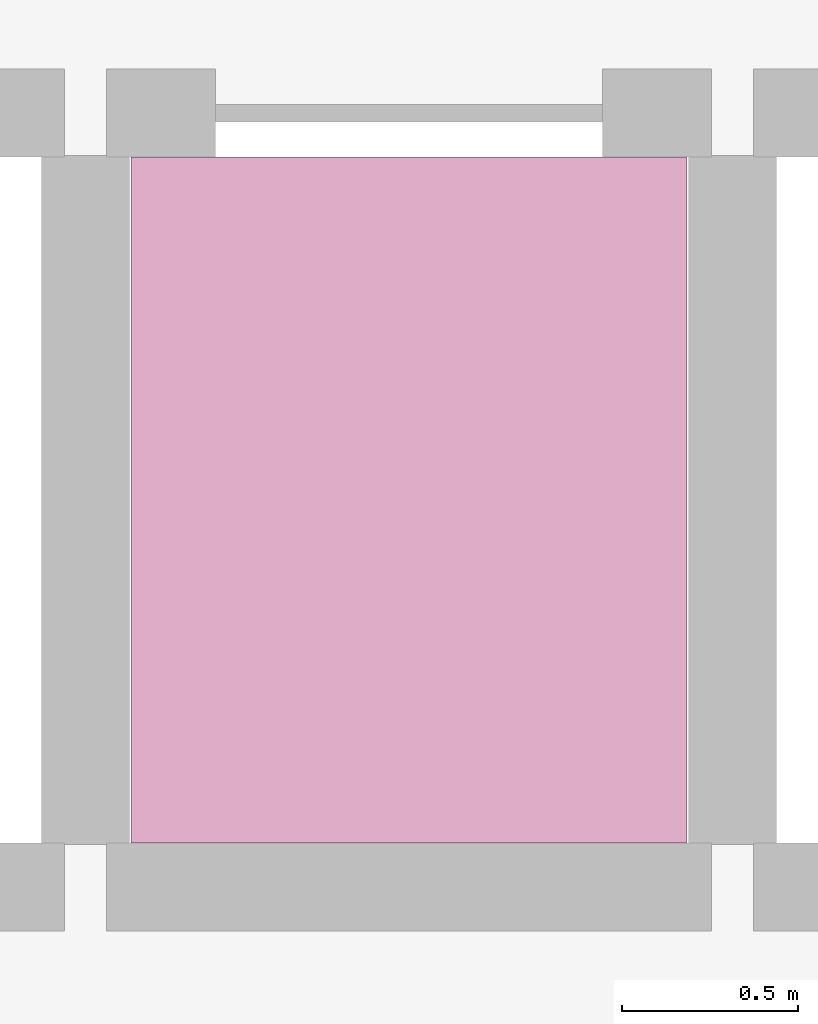
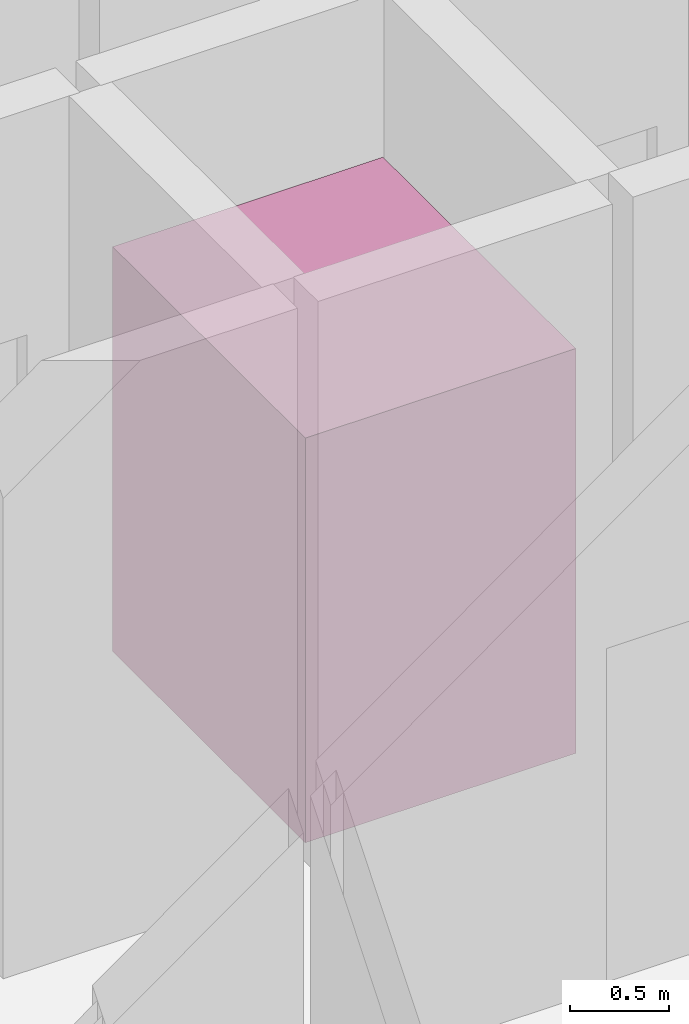
# One storey, part 9 of 9: 1 transport element.
"""IFC4 building model written with IfcOpenShell, lengths in metres."""

from ifc_helpers import new_model, si_unit, direction, frame, origin, origin_2d, place, context, subcontext, project, spatial, rectangle, extrude, material, type_object, element, save


model = new_model("IFC4")

# Units and contexts
model_context = context("Model", 3, precision=1e-05, world=origin(), true_north=direction((0.0, 1.0)))
body_context = subcontext(model_context, "Body", "Model", "MODEL_VIEW")
ifc_project = project(units=[si_unit("LENGTHUNIT", "METRE"), si_unit("AREAUNIT", "SQUARE_METRE"), si_unit("VOLUMEUNIT", "CUBIC_METRE"), si_unit("PLANEANGLEUNIT", "RADIAN"), si_unit("MASSUNIT", "GRAM", prefix="KILO")], contexts=[model_context])

# Site, building, storey
site_placement = place(None, origin())
site = spatial("IfcSite", under=ifc_project, at=site_placement, CompositionType="ELEMENT")
building_placement = place(site_placement, origin())
building = spatial("IfcBuilding", under=site, at=building_placement, Name="Zulverin Broadcast Headquarters", CompositionType="ELEMENT")
storey_placement = place(building_placement, frame((0.0, 0.0, 159.199951171875)))
storey = spatial("IfcBuildingStorey", under=building, at=storey_placement, Name="L40", CompositionType="ELEMENT", Elevation=159.199951171875)

# Transport element
ifc_material = material(Name="Stainless steel & laminated glass elevator car", Category="steel")
transport_element_type = type_object("IfcTransportElementType", Name="LFT-PASS-1600", PredefinedType="ELEVATOR", material=ifc_material)
transport_element_placement = place(storey_placement, frame((34.43994140625, 22.5, 0.02001953125), z_axis=(0.0, 0.0, 1.0), x_axis=(1.0, 0.0, 0.0)))
element("IfcTransportElement", 1, at=transport_element_placement, inside=storey, type_object=transport_element_type, Name="Elevator Car PL-M3 (1600 kg, L00-L55)", PredefinedType="ELEVATOR", context=body_context, shape_type="SweptSolid", body=[
    extrude(rectangle(XDim=1.580078125, YDim=1.949951171875, at=origin_2d()), origin(), (0.0, 0.0, 1.0), 2.5),
])

save(model, "model.ifc")
